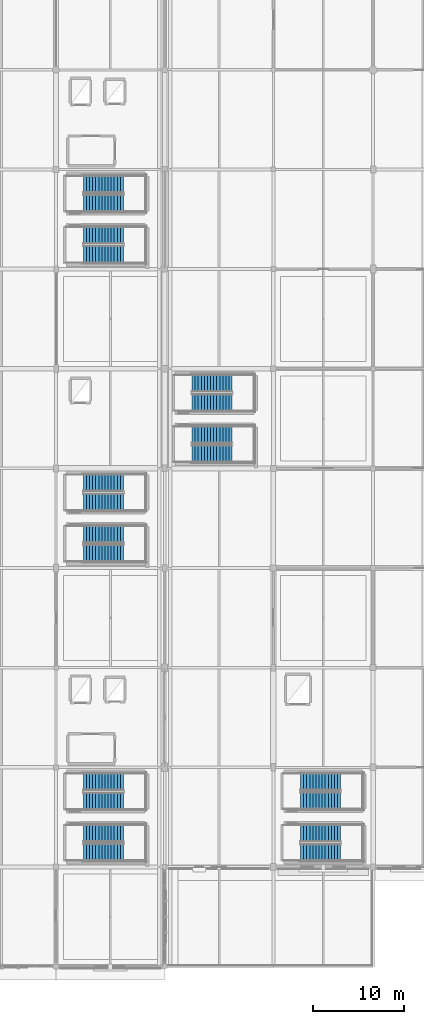
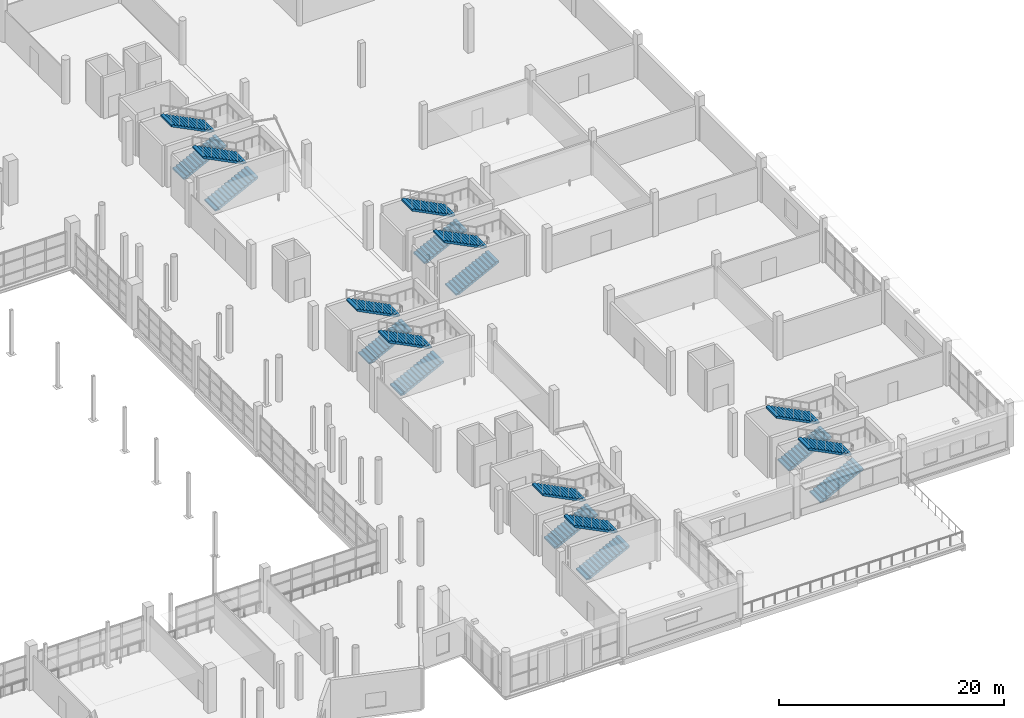
# One storey, part 103 of 143: 20 stair flights, 10 elements without a shape of their own.
"""IFC4 building model written with IfcOpenShell, lengths in metres."""

import ifcopenshell
import ifcopenshell.guid

model = None  # the IFC model being written
_history = None  # IfcOwnerHistory: only IFC2X3 demands one
_inside = {}  # id of a spatial element -> (the spatial element, [elements in it])
_under = {}  # id of a project, library or spatial element -> (it, [spatial elements below it])
_declared = {}  # id of a project -> (the project, [libraries it declares])
_typed = {}  # id of a type object -> (the type object, [elements of that type])
_made_of = {}  # id of a material, layer set ... -> (it, [elements and type objects made of it])


def new_model(schema):
    """Start an empty IFC model of exactly this schema.

    Asked for "IFC4X3", IfcOpenShell would pick the latest addendum, in which some entities
    have other attributes; the version numbers below select the first issue.
    IFC2X3 requires an IfcOwnerHistory on every rooted entity: one is made here for all.
    """
    global model, _history
    if schema == "IFC4X3":
        model = ifcopenshell.file(schema_version=(4, 3, 0, 0))
    else:
        model = ifcopenshell.file(schema=schema)
    _inside.clear()
    _under.clear()
    _declared.clear()
    _typed.clear()
    _made_of.clear()
    _history = None
    if model.schema == "IFC2X3":
        org = make("IfcOrganization", Name="unknown")
        user = make(
            "IfcPersonAndOrganization",
            ThePerson=make("IfcPerson", FamilyName="unknown"),
            TheOrganization=org,
        )
        app = make(
            "IfcApplication",
            ApplicationDeveloper=org,
            Version="unknown",
            ApplicationFullName="unknown",
            ApplicationIdentifier="unknown",
        )
        _history = make(
            "IfcOwnerHistory",
            OwningUser=user,
            OwningApplication=app,
            ChangeAction="ADDED",
            CreationDate=0,
        )
    return model


def make(cls, **values):
    """One entity of the class cls with the attributes given. An attribute that is None is left unset."""
    return model.create_entity(
        cls, **{name: value for name, value in values.items() if value is not None}
    )


def rooted(cls, **values):
    """An entity with a GlobalId (a new one), such as an element, a storey or a relation."""
    return make(cls, GlobalId=ifcopenshell.guid.new(), OwnerHistory=_history, **values)


def si_unit(unit_type, name, prefix=None):
    """IfcSIUnit, for example si_unit("LENGTHUNIT", "METRE", prefix="MILLI")."""
    return make("IfcSIUnit", UnitType=unit_type, Prefix=prefix, Name=name)


def assignment(units):
    """IfcUnitAssignment: the units of a project."""
    return None if units is None else make("IfcUnitAssignment", Units=units)


def point(xyz):
    """IfcCartesianPoint."""
    return None if xyz is None else make("IfcCartesianPoint", Coordinates=xyz)


def direction(xyz):
    """IfcDirection."""
    return None if xyz is None else make("IfcDirection", DirectionRatios=xyz)


def frame(location, z_axis=None, x_axis=None):
    """IfcAxis2Placement3D, a coordinate frame: its origin and axes. An axis left out is left unset."""
    return make(
        "IfcAxis2Placement3D",
        Location=point(location),
        Axis=direction(z_axis),
        RefDirection=direction(x_axis),
    )


def origin():
    """The frame at (0, 0, 0) with its axes left unset."""
    return frame((0.0, 0.0, 0.0))


def place(relative_to, where):
    """IfcLocalPlacement: puts the frame where relative to a parent placement (None: the world)."""
    return make(
        "IfcLocalPlacement", PlacementRelTo=relative_to, RelativePlacement=where
    )


def context(
    kind, dimensions, precision=None, world=None, true_north=None, identifier=None
):
    """IfcGeometricRepresentationContext, for example the 3D "Model" context."""
    return make(
        "IfcGeometricRepresentationContext",
        ContextIdentifier=identifier,
        ContextType=kind,
        CoordinateSpaceDimension=dimensions,
        Precision=precision,
        WorldCoordinateSystem=world,
        TrueNorth=true_north,
    )


def subcontext(parent, identifier, kind, view, scale=None):
    """IfcGeometricRepresentationSubContext, for example "Body" below "Model"."""
    return make(
        "IfcGeometricRepresentationSubContext",
        ContextIdentifier=identifier,
        ContextType=kind,
        ParentContext=parent,
        TargetScale=scale,
        TargetView=view,
    )


def project(units=None, contexts=None):
    """IfcProject with its units and contexts."""
    return rooted(
        "IfcProject",
        Name="project",
        RepresentationContexts=contexts,
        UnitsInContext=assignment(units),
    )


def spatial(cls, under=None, at=None, **own):
    """A site, building, storey or space (cls), placed at a placement, below another one or the project."""
    s = rooted(cls, ObjectPlacement=at, **own)
    if under is not None:
        _under.setdefault(under.id(), (under, []))[1].append(s)
    return s


def polyline(points):
    """IfcPolyline through the points."""
    return make("IfcPolyline", Points=[point(p) for p in points])


def outline(outer, holes=None, kind="AREA"):
    """IfcArbitraryClosedProfileDef: a profile drawn as a closed curve; with holes, ...WithVoids."""
    if holes is None:
        return make("IfcArbitraryClosedProfileDef", ProfileType=kind, OuterCurve=outer)
    return make(
        "IfcArbitraryProfileDefWithVoids",
        ProfileType=kind,
        OuterCurve=outer,
        InnerCurves=holes,
    )


def extrude(swept, where, along, depth):
    """IfcExtrudedAreaSolid: the profile swept, set in the frame where, extruded along a direction by depth."""
    return make(
        "IfcExtrudedAreaSolid",
        SweptArea=swept,
        Position=where,
        ExtrudedDirection=direction(along),
        Depth=depth,
    )


def shape(context_of_items, identifier, shape_type, items):
    """IfcShapeRepresentation: the items that make up one representation, for example the "Body"."""
    return make(
        "IfcShapeRepresentation",
        ContextOfItems=context_of_items,
        RepresentationIdentifier=identifier,
        RepresentationType=shape_type,
        Items=items,
    )


def material(Name=None, Category=None):
    """IfcMaterial."""
    return make("IfcMaterial", Name=Name, Category=Category)


def layer(
    of_material, thickness, ventilated=None, Name=None, Category=None, Priority=None
):
    """IfcMaterialLayer: one layer of a wall or slab, of a material (None: an air gap)."""
    return make(
        "IfcMaterialLayer",
        Material=of_material,
        LayerThickness=thickness,
        IsVentilated=ventilated,
        Name=Name,
        Category=Category,
        Priority=Priority,
    )


def layer_set(layers, Name=None):
    """IfcMaterialLayerSet."""
    return make("IfcMaterialLayerSet", MaterialLayers=layers, LayerSetName=Name)


def made_of(thing, what):
    """Note that an element or type object is made of a material, layer set ...; save() writes the relation."""
    if what is not None:
        _made_of.setdefault(what.id(), (what, []))[1].append(thing)
    return thing


def type_object(cls, material=None, **own):
    """A type object (cls), such as IfcWallType, which elements share."""
    return made_of(rooted(cls, **own), material)


def element(
    cls,
    number,
    at=None,
    inside=None,
    cuts=None,
    type_object=None,
    material=None,
    context=None,
    identifier="Body",
    shape_type=None,
    held_by="IfcProductDefinitionShape",
    body=None,
    shapes=None,
    **own,
):
    """One element of the class cls, such as IfcWall. Its Tag is "e" and its number.

    at: its placement. inside: the storey or other place that contains it. cuts: it is an
    opening in that element (IfcRelVoidsElement). A single representation is given by context,
    identifier, shape_type and body (its items); several are given by shapes. held_by: the class
    of the entity that holds the representations. save() writes the other relations.
    """
    e = rooted(cls, Tag="e%d" % number, ObjectPlacement=at, **own)
    if body is not None:
        shapes = [shape(context, identifier, shape_type, body)]
    if shapes is not None:
        e.Representation = make(held_by, Representations=shapes)
    if inside is not None:
        _inside.setdefault(inside.id(), (inside, []))[1].append(e)
    if cuts is not None:
        rooted(
            "IfcRelVoidsElement", RelatingBuildingElement=cuts, RelatedOpeningElement=e
        )
    if type_object is not None:
        _typed.setdefault(type_object.id(), (type_object, []))[1].append(e)
    return made_of(e, material)


def aggregate(whole, parts):
    """IfcRelAggregates: a whole, such as a stair, and the parts it consists of."""
    return rooted("IfcRelAggregates", RelatingObject=whole, RelatedObjects=parts)


def save(model, path):
    """Write the relations noted so far, then the file.

    IfcRelAggregates (storeys below a building ...), IfcRelContainedInSpatialStructure (elements
    in a storey), IfcRelDefinesByType, IfcRelAssociatesMaterial and IfcRelDeclares: one each for
    every whole, place, type object, material and project.
    """
    for whole, parts in _under.values():
        aggregate(whole, parts)
    for where, things in _inside.values():
        rooted(
            "IfcRelContainedInSpatialStructure",
            RelatedElements=things,
            RelatingStructure=where,
        )
    for kind, things in _typed.values():
        rooted("IfcRelDefinesByType", RelatedObjects=things, RelatingType=kind)
    for what, things in _made_of.values():
        rooted("IfcRelAssociatesMaterial", RelatedObjects=things, RelatingMaterial=what)
    for by, libraries in _declared.values():
        rooted("IfcRelDeclares", RelatingContext=by, RelatedDefinitions=libraries)
    model.write(path)


model = new_model("IFC4")

# Units and contexts
model_context = context("Model", 3, precision=1e-05, world=origin(), true_north=direction((0.0, 1.0)))
body_context = subcontext(model_context, "Body", "Model", "MODEL_VIEW")
ifc_project = project(units=[si_unit("LENGTHUNIT", "METRE"), si_unit("AREAUNIT", "SQUARE_METRE"), si_unit("VOLUMEUNIT", "CUBIC_METRE"), si_unit("PLANEANGLEUNIT", "RADIAN"), si_unit("MASSUNIT", "GRAM", prefix="KILO")], contexts=[model_context])

# Site, building, storey
site_placement = place(None, origin())
site = spatial("IfcSite", under=ifc_project, at=site_placement, CompositionType="ELEMENT")
building_placement = place(site_placement, origin())
building = spatial("IfcBuilding", under=site, at=building_placement, Name="Luwafu Chhajja Arena", CompositionType="ELEMENT")
storey_placement = place(building_placement, frame((0.0, 0.0, 5.39990234375)))
storey = spatial("IfcBuildingStorey", under=building, at=storey_placement, Name="L01", CompositionType="ELEMENT", Elevation=5.39990234375)

# Stair, stair flights
ifc_material = material(Name="Concrete C35/45", Category="concrete")
stair_type_1 = type_object("IfcStairType", Name="Wing Protected Dog-Leg Stair 1900", PredefinedType="HALF_TURN_STAIR", material=ifc_material)
stair_1_placement = place(storey_placement, origin())
stair_1 = element("IfcStair", 1, at=stair_1_placement, inside=storey, type_object=stair_type_1, Name="L01 Protected Escape Stair ST-15", PredefinedType="HALF_TURN_STAIR")
ifc_layer_1 = layer(ifc_material, 0.1650390625, Name="Concrete C35/45")
ifc_layer_set_1 = layer_set([ifc_layer_1], Name="Concrete C35/45")
stair_flight_type_1 = type_object("IfcStairFlightType", Name="RC Escape Stair Flight 1900", PredefinedType="STRAIGHT", material=ifc_layer_set_1)
stair_flight_1_placement = place(storey_placement, frame((179.0, 12.60009765625, 0.0), z_axis=(0.0, 0.0, 1.0), x_axis=(1.0, 0.0, 0.0)))
stair_flight_1 = element("IfcStairFlight", 2, at=stair_flight_1_placement, type_object=stair_flight_type_1, Name="ST-15 flight 1", NumberOfRisers=14, NumberOfTreads=13, PredefinedType="STRAIGHT", RiserHeight=0.171428571, TreadLength=0.34, context=body_context, shape_type="SweptSolid", body=[
    extrude(outline(polyline([(0.0, 0.0), (0.0, 0.17138671875), (0.340087890625, 0.17138671875), (0.340087890625, 0.3427734375), (0.679931640625, 0.3427734375), (0.679931640625, 0.514404296875), (1.02001953125, 0.514404296875), (1.02001953125, 0.685791015625), (1.360107421875, 0.685791015625), (1.360107421875, 0.857177734375), (1.699951171875, 0.857177734375), (1.699951171875, 1.028564453125), (2.0400390625, 1.028564453125), (2.0400390625, 1.199951171875), (2.3798828125, 1.199951171875), (2.3798828125, 1.371337890625), (2.719970703125, 1.371337890625), (2.719970703125, 1.54296875), (3.06005859375, 1.54296875), (3.06005859375, 1.71435546875), (3.39990234375, 1.71435546875), (3.39990234375, 1.8857421875), (3.739990234375, 1.8857421875), (3.739990234375, 2.05712890625), (4.080078125, 2.05712890625), (4.080078125, 2.228515625), (4.419921875, 2.228515625), (4.419921875, 2.39990234375), (4.419921875, 2.038330078125), (0.37744140625, 0.0), (0.0, 0.0)])), frame((0.0, 0.949951171875, 0.0), z_axis=(0.0, -1.0, 0.0), x_axis=(1.0, 0.0, 0.0)), (0.0, 0.0, 1.0), 1.89990234375),
])
stair_flight_2_placement = place(storey_placement, frame((183.419921875, 14.699951171875, 2.400146484375), z_axis=(0.0, 0.0, 1.0), x_axis=(-1.0, 0.0, 0.0)))
stair_flight_2 = element("IfcStairFlight", 3, at=stair_flight_2_placement, type_object=stair_flight_type_1, Name="ST-15 flight 2", NumberOfRisers=14, NumberOfTreads=13, PredefinedType="STRAIGHT", RiserHeight=0.171428571, TreadLength=0.34, context=body_context, shape_type="SweptSolid", body=[
    extrude(outline(polyline([(0.0, 0.0), (0.0, 0.17138671875), (0.340087890625, 0.17138671875), (0.340087890625, 0.3427734375), (0.679931640625, 0.3427734375), (0.679931640625, 0.514404296875), (1.02001953125, 0.514404296875), (1.02001953125, 0.685791015625), (1.360107421875, 0.685791015625), (1.360107421875, 0.857177734375), (1.699951171875, 0.857177734375), (1.699951171875, 1.028564453125), (2.0400390625, 1.028564453125), (2.0400390625, 1.199951171875), (2.3798828125, 1.199951171875), (2.3798828125, 1.371337890625), (2.719970703125, 1.371337890625), (2.719970703125, 1.54296875), (3.06005859375, 1.54296875), (3.06005859375, 1.71435546875), (3.39990234375, 1.71435546875), (3.39990234375, 1.8857421875), (3.739990234375, 1.8857421875), (3.739990234375, 2.05712890625), (4.080078125, 2.05712890625), (4.080078125, 2.228515625), (4.419921875, 2.228515625), (4.419921875, 2.39990234375), (4.419921875, 2.038330078125), (0.37744140625, 0.0), (0.0, 0.0)])), frame((0.0, 0.949951171875, 0.0), z_axis=(0.0, -1.0, 0.0), x_axis=(1.0, 0.0, 0.0)), (0.0, 0.0, 1.0), 1.89990234375),
])
aggregate(stair_1, [stair_flight_1, stair_flight_2])

stair_2_placement = place(storey_placement, origin())
stair_2 = element("IfcStair", 4, at=stair_2_placement, inside=storey, type_object=stair_type_1, Name="L01 Protected Escape Stair ST-16", PredefinedType="HALF_TURN_STAIR")
stair_flight_3_placement = place(storey_placement, frame((179.0, 18.300048828125, 0.0), z_axis=(0.0, 0.0, 1.0), x_axis=(1.0, 0.0, 0.0)))
stair_flight_3 = element("IfcStairFlight", 5, at=stair_flight_3_placement, type_object=stair_flight_type_1, Name="ST-16 flight 1", NumberOfRisers=14, NumberOfTreads=13, PredefinedType="STRAIGHT", RiserHeight=0.171428571, TreadLength=0.34, context=body_context, shape_type="SweptSolid", body=[
    extrude(outline(polyline([(0.0, 0.0), (0.0, 0.17138671875), (0.340087890625, 0.17138671875), (0.340087890625, 0.3427734375), (0.679931640625, 0.3427734375), (0.679931640625, 0.514404296875), (1.02001953125, 0.514404296875), (1.02001953125, 0.685791015625), (1.360107421875, 0.685791015625), (1.360107421875, 0.857177734375), (1.699951171875, 0.857177734375), (1.699951171875, 1.028564453125), (2.0400390625, 1.028564453125), (2.0400390625, 1.199951171875), (2.3798828125, 1.199951171875), (2.3798828125, 1.371337890625), (2.719970703125, 1.371337890625), (2.719970703125, 1.54296875), (3.06005859375, 1.54296875), (3.06005859375, 1.71435546875), (3.39990234375, 1.71435546875), (3.39990234375, 1.8857421875), (3.739990234375, 1.8857421875), (3.739990234375, 2.05712890625), (4.080078125, 2.05712890625), (4.080078125, 2.228515625), (4.419921875, 2.228515625), (4.419921875, 2.39990234375), (4.419921875, 2.038330078125), (0.37744140625, 0.0), (0.0, 0.0)])), frame((0.0, 0.949951171875, 0.0), z_axis=(0.0, -1.0, 0.0), x_axis=(1.0, 0.0, 0.0)), (0.0, 0.0, 1.0), 1.89990234375),
])
stair_flight_4_placement = place(storey_placement, frame((183.419921875, 20.39990234375, 2.400146484375), z_axis=(0.0, 0.0, 1.0), x_axis=(-1.0, 0.0, 0.0)))
stair_flight_4 = element("IfcStairFlight", 6, at=stair_flight_4_placement, type_object=stair_flight_type_1, Name="ST-16 flight 2", NumberOfRisers=14, NumberOfTreads=13, PredefinedType="STRAIGHT", RiserHeight=0.171428571, TreadLength=0.34, context=body_context, shape_type="SweptSolid", body=[
    extrude(outline(polyline([(0.0, 0.0), (0.0, 0.17138671875), (0.340087890625, 0.17138671875), (0.340087890625, 0.3427734375), (0.679931640625, 0.3427734375), (0.679931640625, 0.514404296875), (1.02001953125, 0.514404296875), (1.02001953125, 0.685791015625), (1.360107421875, 0.685791015625), (1.360107421875, 0.857177734375), (1.699951171875, 0.857177734375), (1.699951171875, 1.028564453125), (2.0400390625, 1.028564453125), (2.0400390625, 1.199951171875), (2.3798828125, 1.199951171875), (2.3798828125, 1.371337890625), (2.719970703125, 1.371337890625), (2.719970703125, 1.54296875), (3.06005859375, 1.54296875), (3.06005859375, 1.71435546875), (3.39990234375, 1.71435546875), (3.39990234375, 1.8857421875), (3.739990234375, 1.8857421875), (3.739990234375, 2.05712890625), (4.080078125, 2.05712890625), (4.080078125, 2.228515625), (4.419921875, 2.228515625), (4.419921875, 2.39990234375), (4.419921875, 2.038330078125), (0.37744140625, 0.0), (0.0, 0.0)])), frame((0.0, 0.949951171875, 0.0), z_axis=(0.0, -1.0, 0.0), x_axis=(1.0, 0.0, 0.0)), (0.0, 0.0, 1.0), 1.89990234375),
])
aggregate(stair_2, [stair_flight_3, stair_flight_4])

stair_type_2 = type_object("IfcStairType", Name="Quadrant Protected Dog-Leg Stair 1920", PredefinedType="HALF_TURN_STAIR", material=ifc_material)
stair_3_placement = place(storey_placement, origin())
stair_3 = element("IfcStair", 7, at=stair_3_placement, inside=storey, type_object=stair_type_2, Name="L01 Protected Escape Stair ST-03", PredefinedType="HALF_TURN_STAIR")
ifc_layer_2 = layer(ifc_material, 0.169921875, Name="Concrete C35/45")
ifc_layer_set_2 = layer_set([ifc_layer_2], Name="Concrete C35/45")
stair_flight_type_2 = type_object("IfcStairFlightType", Name="RC Escape Stair Flight 1920", PredefinedType="STRAIGHT", material=ifc_layer_set_2)
stair_flight_5_placement = place(storey_placement, frame((155.02001953125, 12.610107421875, 0.0), z_axis=(0.0, 0.0, 1.0), x_axis=(1.0, 0.0, 0.0)))
stair_flight_5 = element("IfcStairFlight", 8, at=stair_flight_5_placement, type_object=stair_flight_type_2, Name="ST-03 flight 1", NumberOfRisers=14, NumberOfTreads=13, PredefinedType="STRAIGHT", RiserHeight=0.171428571, TreadLength=0.34, context=body_context, shape_type="SweptSolid", body=[
    extrude(outline(polyline([(0.0, 0.0), (0.0, 0.17138671875), (0.340087890625, 0.17138671875), (0.340087890625, 0.3427734375), (0.679931640625, 0.3427734375), (0.679931640625, 0.514404296875), (1.02001953125, 0.514404296875), (1.02001953125, 0.685791015625), (1.360107421875, 0.685791015625), (1.360107421875, 0.857177734375), (1.699951171875, 0.857177734375), (1.699951171875, 1.028564453125), (2.0400390625, 1.028564453125), (2.0400390625, 1.199951171875), (2.3798828125, 1.199951171875), (2.3798828125, 1.371337890625), (2.719970703125, 1.371337890625), (2.719970703125, 1.54296875), (3.06005859375, 1.54296875), (3.06005859375, 1.71435546875), (3.39990234375, 1.71435546875), (3.39990234375, 1.8857421875), (3.739990234375, 1.8857421875), (3.739990234375, 2.05712890625), (4.080078125, 2.05712890625), (4.080078125, 2.228515625), (4.419921875, 2.228515625), (4.419921875, 2.39990234375), (4.419921875, 2.038330078125), (0.37744140625, 0.0), (0.0, 0.0)])), frame((0.0, 0.9599609375, 0.0), z_axis=(0.0, -1.0, 0.0), x_axis=(1.0, 0.0, 0.0)), (0.0, 0.0, 1.0), 1.919921875),
])
stair_flight_6_placement = place(storey_placement, frame((159.43994140625, 14.72998046875, 2.400146484375), z_axis=(0.0, 0.0, 1.0), x_axis=(-1.0, 0.0, 0.0)))
stair_flight_6 = element("IfcStairFlight", 9, at=stair_flight_6_placement, type_object=stair_flight_type_2, Name="ST-03 flight 2", NumberOfRisers=14, NumberOfTreads=13, PredefinedType="STRAIGHT", RiserHeight=0.171428571, TreadLength=0.34, context=body_context, shape_type="SweptSolid", body=[
    extrude(outline(polyline([(0.0, 0.0), (0.0, 0.17138671875), (0.340087890625, 0.17138671875), (0.340087890625, 0.3427734375), (0.679931640625, 0.3427734375), (0.679931640625, 0.514404296875), (1.02001953125, 0.514404296875), (1.02001953125, 0.685791015625), (1.360107421875, 0.685791015625), (1.360107421875, 0.857177734375), (1.699951171875, 0.857177734375), (1.699951171875, 1.028564453125), (2.0400390625, 1.028564453125), (2.0400390625, 1.199951171875), (2.3798828125, 1.199951171875), (2.3798828125, 1.371337890625), (2.719970703125, 1.371337890625), (2.719970703125, 1.54296875), (3.06005859375, 1.54296875), (3.06005859375, 1.71435546875), (3.39990234375, 1.71435546875), (3.39990234375, 1.8857421875), (3.739990234375, 1.8857421875), (3.739990234375, 2.05712890625), (4.080078125, 2.05712890625), (4.080078125, 2.228515625), (4.419921875, 2.228515625), (4.419921875, 2.39990234375), (4.419921875, 2.038330078125), (0.37744140625, 0.0), (0.0, 0.0)])), frame((0.0, 0.9599609375, 0.0), z_axis=(0.0, -1.0, 0.0), x_axis=(1.0, 0.0, 0.0)), (0.0, 0.0, 1.0), 1.919921875),
])
aggregate(stair_3, [stair_flight_5, stair_flight_6])

stair_4_placement = place(storey_placement, origin())
stair_4 = element("IfcStair", 10, at=stair_4_placement, inside=storey, type_object=stair_type_2, Name="L01 Protected Escape Stair ST-04", PredefinedType="HALF_TURN_STAIR")
stair_flight_7_placement = place(storey_placement, frame((155.02001953125, 18.27001953125, 0.0), z_axis=(0.0, 0.0, 1.0), x_axis=(1.0, 0.0, 0.0)))
stair_flight_7 = element("IfcStairFlight", 11, at=stair_flight_7_placement, type_object=stair_flight_type_2, Name="ST-04 flight 1", NumberOfRisers=14, NumberOfTreads=13, PredefinedType="STRAIGHT", RiserHeight=0.171428571, TreadLength=0.34, context=body_context, shape_type="SweptSolid", body=[
    extrude(outline(polyline([(0.0, 0.0), (0.0, 0.17138671875), (0.340087890625, 0.17138671875), (0.340087890625, 0.3427734375), (0.679931640625, 0.3427734375), (0.679931640625, 0.514404296875), (1.02001953125, 0.514404296875), (1.02001953125, 0.685791015625), (1.360107421875, 0.685791015625), (1.360107421875, 0.857177734375), (1.699951171875, 0.857177734375), (1.699951171875, 1.028564453125), (2.0400390625, 1.028564453125), (2.0400390625, 1.199951171875), (2.3798828125, 1.199951171875), (2.3798828125, 1.371337890625), (2.719970703125, 1.371337890625), (2.719970703125, 1.54296875), (3.06005859375, 1.54296875), (3.06005859375, 1.71435546875), (3.39990234375, 1.71435546875), (3.39990234375, 1.8857421875), (3.739990234375, 1.8857421875), (3.739990234375, 2.05712890625), (4.080078125, 2.05712890625), (4.080078125, 2.228515625), (4.419921875, 2.228515625), (4.419921875, 2.39990234375), (4.419921875, 2.038330078125), (0.37744140625, 0.0), (0.0, 0.0)])), frame((0.0, 0.9599609375, 0.0), z_axis=(0.0, -1.0, 0.0), x_axis=(1.0, 0.0, 0.0)), (0.0, 0.0, 1.0), 1.919921875),
])
stair_flight_8_placement = place(storey_placement, frame((159.43994140625, 20.389892578125, 2.400146484375), z_axis=(0.0, 0.0, 1.0), x_axis=(-1.0, 0.0, 0.0)))
stair_flight_8 = element("IfcStairFlight", 12, at=stair_flight_8_placement, type_object=stair_flight_type_2, Name="ST-04 flight 2", NumberOfRisers=14, NumberOfTreads=13, PredefinedType="STRAIGHT", RiserHeight=0.171428571, TreadLength=0.34, context=body_context, shape_type="SweptSolid", body=[
    extrude(outline(polyline([(0.0, 0.0), (0.0, 0.17138671875), (0.340087890625, 0.17138671875), (0.340087890625, 0.3427734375), (0.679931640625, 0.3427734375), (0.679931640625, 0.514404296875), (1.02001953125, 0.514404296875), (1.02001953125, 0.685791015625), (1.360107421875, 0.685791015625), (1.360107421875, 0.857177734375), (1.699951171875, 0.857177734375), (1.699951171875, 1.028564453125), (2.0400390625, 1.028564453125), (2.0400390625, 1.199951171875), (2.3798828125, 1.199951171875), (2.3798828125, 1.371337890625), (2.719970703125, 1.371337890625), (2.719970703125, 1.54296875), (3.06005859375, 1.54296875), (3.06005859375, 1.71435546875), (3.39990234375, 1.71435546875), (3.39990234375, 1.8857421875), (3.739990234375, 1.8857421875), (3.739990234375, 2.05712890625), (4.080078125, 2.05712890625), (4.080078125, 2.228515625), (4.419921875, 2.228515625), (4.419921875, 2.39990234375), (4.419921875, 2.038330078125), (0.37744140625, 0.0), (0.0, 0.0)])), frame((0.0, 0.9599609375, 0.0), z_axis=(0.0, -1.0, 0.0), x_axis=(1.0, 0.0, 0.0)), (0.0, 0.0, 1.0), 1.919921875),
])
aggregate(stair_4, [stair_flight_7, stair_flight_8])

stair_5_placement = place(storey_placement, origin())
stair_5 = element("IfcStair", 13, at=stair_5_placement, inside=storey, type_object=stair_type_2, Name="L01 Protected Escape Stair ST-07", PredefinedType="HALF_TURN_STAIR")
stair_flight_9_placement = place(storey_placement, frame((155.02001953125, 78.610107421875, 0.0), z_axis=(0.0, 0.0, 1.0), x_axis=(1.0, 0.0, 0.0)))
stair_flight_9 = element("IfcStairFlight", 14, at=stair_flight_9_placement, type_object=stair_flight_type_2, Name="ST-07 flight 1", NumberOfRisers=14, NumberOfTreads=13, PredefinedType="STRAIGHT", RiserHeight=0.171428571, TreadLength=0.34, context=body_context, shape_type="SweptSolid", body=[
    extrude(outline(polyline([(0.0, 0.0), (0.0, 0.17138671875), (0.340087890625, 0.17138671875), (0.340087890625, 0.3427734375), (0.679931640625, 0.3427734375), (0.679931640625, 0.514404296875), (1.02001953125, 0.514404296875), (1.02001953125, 0.685791015625), (1.360107421875, 0.685791015625), (1.360107421875, 0.857177734375), (1.699951171875, 0.857177734375), (1.699951171875, 1.028564453125), (2.0400390625, 1.028564453125), (2.0400390625, 1.199951171875), (2.3798828125, 1.199951171875), (2.3798828125, 1.371337890625), (2.719970703125, 1.371337890625), (2.719970703125, 1.54296875), (3.06005859375, 1.54296875), (3.06005859375, 1.71435546875), (3.39990234375, 1.71435546875), (3.39990234375, 1.8857421875), (3.739990234375, 1.8857421875), (3.739990234375, 2.05712890625), (4.080078125, 2.05712890625), (4.080078125, 2.228515625), (4.419921875, 2.228515625), (4.419921875, 2.39990234375), (4.419921875, 2.038330078125), (0.37744140625, 0.0), (0.0, 0.0)])), frame((0.0, 0.9599609375, 0.0), z_axis=(0.0, -1.0, 0.0), x_axis=(1.0, 0.0, 0.0)), (0.0, 0.0, 1.0), 1.919921875),
])
stair_flight_10_placement = place(storey_placement, frame((159.43994140625, 80.72998046875, 2.400146484375), z_axis=(0.0, 0.0, 1.0), x_axis=(-1.0, 0.0, 0.0)))
stair_flight_10 = element("IfcStairFlight", 15, at=stair_flight_10_placement, type_object=stair_flight_type_2, Name="ST-07 flight 2", NumberOfRisers=14, NumberOfTreads=13, PredefinedType="STRAIGHT", RiserHeight=0.171428571, TreadLength=0.34, context=body_context, shape_type="SweptSolid", body=[
    extrude(outline(polyline([(0.0, 0.0), (0.0, 0.17138671875), (0.340087890625, 0.17138671875), (0.340087890625, 0.3427734375), (0.679931640625, 0.3427734375), (0.679931640625, 0.514404296875), (1.02001953125, 0.514404296875), (1.02001953125, 0.685791015625), (1.360107421875, 0.685791015625), (1.360107421875, 0.857177734375), (1.699951171875, 0.857177734375), (1.699951171875, 1.028564453125), (2.0400390625, 1.028564453125), (2.0400390625, 1.199951171875), (2.3798828125, 1.199951171875), (2.3798828125, 1.371337890625), (2.719970703125, 1.371337890625), (2.719970703125, 1.54296875), (3.06005859375, 1.54296875), (3.06005859375, 1.71435546875), (3.39990234375, 1.71435546875), (3.39990234375, 1.8857421875), (3.739990234375, 1.8857421875), (3.739990234375, 2.05712890625), (4.080078125, 2.05712890625), (4.080078125, 2.228515625), (4.419921875, 2.228515625), (4.419921875, 2.39990234375), (4.419921875, 2.038330078125), (0.37744140625, 0.0), (0.0, 0.0)])), frame((0.0, 0.9599609375, 0.0), z_axis=(0.0, -1.0, 0.0), x_axis=(1.0, 0.0, 0.0)), (0.0, 0.0, 1.0), 1.919921875),
])
aggregate(stair_5, [stair_flight_9, stair_flight_10])

stair_6_placement = place(storey_placement, origin())
stair_6 = element("IfcStair", 16, at=stair_6_placement, inside=storey, type_object=stair_type_2, Name="L01 Protected Escape Stair ST-08", PredefinedType="HALF_TURN_STAIR")
stair_flight_11_placement = place(storey_placement, frame((155.02001953125, 84.27001953125, 0.0), z_axis=(0.0, 0.0, 1.0), x_axis=(1.0, 0.0, 0.0)))
stair_flight_11 = element("IfcStairFlight", 17, at=stair_flight_11_placement, type_object=stair_flight_type_2, Name="ST-08 flight 1", NumberOfRisers=14, NumberOfTreads=13, PredefinedType="STRAIGHT", RiserHeight=0.171428571, TreadLength=0.34, context=body_context, shape_type="SweptSolid", body=[
    extrude(outline(polyline([(0.0, 0.0), (0.0, 0.17138671875), (0.340087890625, 0.17138671875), (0.340087890625, 0.3427734375), (0.679931640625, 0.3427734375), (0.679931640625, 0.514404296875), (1.02001953125, 0.514404296875), (1.02001953125, 0.685791015625), (1.360107421875, 0.685791015625), (1.360107421875, 0.857177734375), (1.699951171875, 0.857177734375), (1.699951171875, 1.028564453125), (2.0400390625, 1.028564453125), (2.0400390625, 1.199951171875), (2.3798828125, 1.199951171875), (2.3798828125, 1.371337890625), (2.719970703125, 1.371337890625), (2.719970703125, 1.54296875), (3.06005859375, 1.54296875), (3.06005859375, 1.71435546875), (3.39990234375, 1.71435546875), (3.39990234375, 1.8857421875), (3.739990234375, 1.8857421875), (3.739990234375, 2.05712890625), (4.080078125, 2.05712890625), (4.080078125, 2.228515625), (4.419921875, 2.228515625), (4.419921875, 2.39990234375), (4.419921875, 2.038330078125), (0.37744140625, 0.0), (0.0, 0.0)])), frame((0.0, 0.9599609375, 0.0), z_axis=(0.0, -1.0, 0.0), x_axis=(1.0, 0.0, 0.0)), (0.0, 0.0, 1.0), 1.919921875),
])
stair_flight_12_placement = place(storey_placement, frame((159.43994140625, 86.389892578125, 2.400146484375), z_axis=(0.0, 0.0, 1.0), x_axis=(-1.0, 0.0, 0.0)))
stair_flight_12 = element("IfcStairFlight", 18, at=stair_flight_12_placement, type_object=stair_flight_type_2, Name="ST-08 flight 2", NumberOfRisers=14, NumberOfTreads=13, PredefinedType="STRAIGHT", RiserHeight=0.171428571, TreadLength=0.34, context=body_context, shape_type="SweptSolid", body=[
    extrude(outline(polyline([(0.0, 0.0), (0.0, 0.17138671875), (0.340087890625, 0.17138671875), (0.340087890625, 0.3427734375), (0.679931640625, 0.3427734375), (0.679931640625, 0.514404296875), (1.02001953125, 0.514404296875), (1.02001953125, 0.685791015625), (1.360107421875, 0.685791015625), (1.360107421875, 0.857177734375), (1.699951171875, 0.857177734375), (1.699951171875, 1.028564453125), (2.0400390625, 1.028564453125), (2.0400390625, 1.199951171875), (2.3798828125, 1.199951171875), (2.3798828125, 1.371337890625), (2.719970703125, 1.371337890625), (2.719970703125, 1.54296875), (3.06005859375, 1.54296875), (3.06005859375, 1.71435546875), (3.39990234375, 1.71435546875), (3.39990234375, 1.8857421875), (3.739990234375, 1.8857421875), (3.739990234375, 2.05712890625), (4.080078125, 2.05712890625), (4.080078125, 2.228515625), (4.419921875, 2.228515625), (4.419921875, 2.39990234375), (4.419921875, 2.038330078125), (0.37744140625, 0.0), (0.0, 0.0)])), frame((0.0, 0.9599609375, 0.0), z_axis=(0.0, -1.0, 0.0), x_axis=(1.0, 0.0, 0.0)), (0.0, 0.0, 1.0), 1.919921875),
])
aggregate(stair_6, [stair_flight_11, stair_flight_12])

stair_7_placement = place(storey_placement, origin())
stair_7 = element("IfcStair", 19, at=stair_7_placement, inside=storey, type_object=stair_type_2, Name="L01 Protected Escape Stair ST-11", PredefinedType="HALF_TURN_STAIR")
stair_flight_13_placement = place(storey_placement, frame((155.02001953125, 45.610107421875, 0.0), z_axis=(0.0, 0.0, 1.0), x_axis=(1.0, 0.0, 0.0)))
stair_flight_13 = element("IfcStairFlight", 20, at=stair_flight_13_placement, type_object=stair_flight_type_2, Name="ST-11 flight 1", NumberOfRisers=14, NumberOfTreads=13, PredefinedType="STRAIGHT", RiserHeight=0.171428571, TreadLength=0.34, context=body_context, shape_type="SweptSolid", body=[
    extrude(outline(polyline([(0.0, 0.0), (0.0, 0.17138671875), (0.340087890625, 0.17138671875), (0.340087890625, 0.3427734375), (0.679931640625, 0.3427734375), (0.679931640625, 0.514404296875), (1.02001953125, 0.514404296875), (1.02001953125, 0.685791015625), (1.360107421875, 0.685791015625), (1.360107421875, 0.857177734375), (1.699951171875, 0.857177734375), (1.699951171875, 1.028564453125), (2.0400390625, 1.028564453125), (2.0400390625, 1.199951171875), (2.3798828125, 1.199951171875), (2.3798828125, 1.371337890625), (2.719970703125, 1.371337890625), (2.719970703125, 1.54296875), (3.06005859375, 1.54296875), (3.06005859375, 1.71435546875), (3.39990234375, 1.71435546875), (3.39990234375, 1.8857421875), (3.739990234375, 1.8857421875), (3.739990234375, 2.05712890625), (4.080078125, 2.05712890625), (4.080078125, 2.228515625), (4.419921875, 2.228515625), (4.419921875, 2.39990234375), (4.419921875, 2.038330078125), (0.37744140625, 0.0), (0.0, 0.0)])), frame((0.0, 0.9599609375, 0.0), z_axis=(0.0, -1.0, 0.0), x_axis=(1.0, 0.0, 0.0)), (0.0, 0.0, 1.0), 1.919921875),
])
stair_flight_14_placement = place(storey_placement, frame((159.43994140625, 47.72998046875, 2.400146484375), z_axis=(0.0, 0.0, 1.0), x_axis=(-1.0, 0.0, 0.0)))
stair_flight_14 = element("IfcStairFlight", 21, at=stair_flight_14_placement, type_object=stair_flight_type_2, Name="ST-11 flight 2", NumberOfRisers=14, NumberOfTreads=13, PredefinedType="STRAIGHT", RiserHeight=0.171428571, TreadLength=0.34, context=body_context, shape_type="SweptSolid", body=[
    extrude(outline(polyline([(0.0, 0.0), (0.0, 0.17138671875), (0.340087890625, 0.17138671875), (0.340087890625, 0.3427734375), (0.679931640625, 0.3427734375), (0.679931640625, 0.514404296875), (1.02001953125, 0.514404296875), (1.02001953125, 0.685791015625), (1.360107421875, 0.685791015625), (1.360107421875, 0.857177734375), (1.699951171875, 0.857177734375), (1.699951171875, 1.028564453125), (2.0400390625, 1.028564453125), (2.0400390625, 1.199951171875), (2.3798828125, 1.199951171875), (2.3798828125, 1.371337890625), (2.719970703125, 1.371337890625), (2.719970703125, 1.54296875), (3.06005859375, 1.54296875), (3.06005859375, 1.71435546875), (3.39990234375, 1.71435546875), (3.39990234375, 1.8857421875), (3.739990234375, 1.8857421875), (3.739990234375, 2.05712890625), (4.080078125, 2.05712890625), (4.080078125, 2.228515625), (4.419921875, 2.228515625), (4.419921875, 2.39990234375), (4.419921875, 2.038330078125), (0.37744140625, 0.0), (0.0, 0.0)])), frame((0.0, 0.9599609375, 0.0), z_axis=(0.0, -1.0, 0.0), x_axis=(1.0, 0.0, 0.0)), (0.0, 0.0, 1.0), 1.919921875),
])
aggregate(stair_7, [stair_flight_13, stair_flight_14])

stair_8_placement = place(storey_placement, origin())
stair_8 = element("IfcStair", 22, at=stair_8_placement, inside=storey, type_object=stair_type_2, Name="L01 Protected Escape Stair ST-12", PredefinedType="HALF_TURN_STAIR")
stair_flight_15_placement = place(storey_placement, frame((155.02001953125, 51.27001953125, 0.0), z_axis=(0.0, 0.0, 1.0), x_axis=(1.0, 0.0, 0.0)))
stair_flight_15 = element("IfcStairFlight", 23, at=stair_flight_15_placement, type_object=stair_flight_type_2, Name="ST-12 flight 1", NumberOfRisers=14, NumberOfTreads=13, PredefinedType="STRAIGHT", RiserHeight=0.171428571, TreadLength=0.34, context=body_context, shape_type="SweptSolid", body=[
    extrude(outline(polyline([(0.0, 0.0), (0.0, 0.17138671875), (0.340087890625, 0.17138671875), (0.340087890625, 0.3427734375), (0.679931640625, 0.3427734375), (0.679931640625, 0.514404296875), (1.02001953125, 0.514404296875), (1.02001953125, 0.685791015625), (1.360107421875, 0.685791015625), (1.360107421875, 0.857177734375), (1.699951171875, 0.857177734375), (1.699951171875, 1.028564453125), (2.0400390625, 1.028564453125), (2.0400390625, 1.199951171875), (2.3798828125, 1.199951171875), (2.3798828125, 1.371337890625), (2.719970703125, 1.371337890625), (2.719970703125, 1.54296875), (3.06005859375, 1.54296875), (3.06005859375, 1.71435546875), (3.39990234375, 1.71435546875), (3.39990234375, 1.8857421875), (3.739990234375, 1.8857421875), (3.739990234375, 2.05712890625), (4.080078125, 2.05712890625), (4.080078125, 2.228515625), (4.419921875, 2.228515625), (4.419921875, 2.39990234375), (4.419921875, 2.038330078125), (0.37744140625, 0.0), (0.0, 0.0)])), frame((0.0, 0.9599609375, 0.0), z_axis=(0.0, -1.0, 0.0), x_axis=(1.0, 0.0, 0.0)), (0.0, 0.0, 1.0), 1.919921875),
])
stair_flight_16_placement = place(storey_placement, frame((159.43994140625, 53.389892578125, 2.400146484375), z_axis=(0.0, 0.0, 1.0), x_axis=(-1.0, 0.0, 0.0)))
stair_flight_16 = element("IfcStairFlight", 24, at=stair_flight_16_placement, type_object=stair_flight_type_2, Name="ST-12 flight 2", NumberOfRisers=14, NumberOfTreads=13, PredefinedType="STRAIGHT", RiserHeight=0.171428571, TreadLength=0.34, context=body_context, shape_type="SweptSolid", body=[
    extrude(outline(polyline([(0.0, 0.0), (0.0, 0.17138671875), (0.340087890625, 0.17138671875), (0.340087890625, 0.3427734375), (0.679931640625, 0.3427734375), (0.679931640625, 0.514404296875), (1.02001953125, 0.514404296875), (1.02001953125, 0.685791015625), (1.360107421875, 0.685791015625), (1.360107421875, 0.857177734375), (1.699951171875, 0.857177734375), (1.699951171875, 1.028564453125), (2.0400390625, 1.028564453125), (2.0400390625, 1.199951171875), (2.3798828125, 1.199951171875), (2.3798828125, 1.371337890625), (2.719970703125, 1.371337890625), (2.719970703125, 1.54296875), (3.06005859375, 1.54296875), (3.06005859375, 1.71435546875), (3.39990234375, 1.71435546875), (3.39990234375, 1.8857421875), (3.739990234375, 1.8857421875), (3.739990234375, 2.05712890625), (4.080078125, 2.05712890625), (4.080078125, 2.228515625), (4.419921875, 2.228515625), (4.419921875, 2.39990234375), (4.419921875, 2.038330078125), (0.37744140625, 0.0), (0.0, 0.0)])), frame((0.0, 0.9599609375, 0.0), z_axis=(0.0, -1.0, 0.0), x_axis=(1.0, 0.0, 0.0)), (0.0, 0.0, 1.0), 1.919921875),
])
aggregate(stair_8, [stair_flight_15, stair_flight_16])

stair_9_placement = place(storey_placement, origin())
stair_9 = element("IfcStair", 25, at=stair_9_placement, inside=storey, type_object=stair_type_2, Name="L01 Protected Escape Stair ST-19", PredefinedType="HALF_TURN_STAIR")
stair_flight_17_placement = place(storey_placement, frame((167.02001953125, 56.610107421875, 0.0), z_axis=(0.0, 0.0, 1.0), x_axis=(1.0, 0.0, 0.0)))
stair_flight_17 = element("IfcStairFlight", 26, at=stair_flight_17_placement, type_object=stair_flight_type_2, Name="ST-19 flight 1", NumberOfRisers=14, NumberOfTreads=13, PredefinedType="STRAIGHT", RiserHeight=0.171428571, TreadLength=0.34, context=body_context, shape_type="SweptSolid", body=[
    extrude(outline(polyline([(0.0, 0.0), (0.0, 0.17138671875), (0.340087890625, 0.17138671875), (0.340087890625, 0.3427734375), (0.679931640625, 0.3427734375), (0.679931640625, 0.514404296875), (1.02001953125, 0.514404296875), (1.02001953125, 0.685791015625), (1.360107421875, 0.685791015625), (1.360107421875, 0.857177734375), (1.699951171875, 0.857177734375), (1.699951171875, 1.028564453125), (2.0400390625, 1.028564453125), (2.0400390625, 1.199951171875), (2.3798828125, 1.199951171875), (2.3798828125, 1.371337890625), (2.719970703125, 1.371337890625), (2.719970703125, 1.54296875), (3.06005859375, 1.54296875), (3.06005859375, 1.71435546875), (3.39990234375, 1.71435546875), (3.39990234375, 1.8857421875), (3.739990234375, 1.8857421875), (3.739990234375, 2.05712890625), (4.080078125, 2.05712890625), (4.080078125, 2.228515625), (4.419921875, 2.228515625), (4.419921875, 2.39990234375), (4.419921875, 2.038330078125), (0.37744140625, 0.0), (0.0, 0.0)])), frame((0.0, 0.9599609375, 0.0), z_axis=(0.0, -1.0, 0.0), x_axis=(1.0, 0.0, 0.0)), (0.0, 0.0, 1.0), 1.919921875),
])
stair_flight_18_placement = place(storey_placement, frame((171.43994140625, 58.72998046875, 2.400146484375), z_axis=(0.0, 0.0, 1.0), x_axis=(-1.0, 0.0, 0.0)))
stair_flight_18 = element("IfcStairFlight", 27, at=stair_flight_18_placement, type_object=stair_flight_type_2, Name="ST-19 flight 2", NumberOfRisers=14, NumberOfTreads=13, PredefinedType="STRAIGHT", RiserHeight=0.171428571, TreadLength=0.34, context=body_context, shape_type="SweptSolid", body=[
    extrude(outline(polyline([(0.0, 0.0), (0.0, 0.17138671875), (0.340087890625, 0.17138671875), (0.340087890625, 0.3427734375), (0.679931640625, 0.3427734375), (0.679931640625, 0.514404296875), (1.02001953125, 0.514404296875), (1.02001953125, 0.685791015625), (1.360107421875, 0.685791015625), (1.360107421875, 0.857177734375), (1.699951171875, 0.857177734375), (1.699951171875, 1.028564453125), (2.0400390625, 1.028564453125), (2.0400390625, 1.199951171875), (2.3798828125, 1.199951171875), (2.3798828125, 1.371337890625), (2.719970703125, 1.371337890625), (2.719970703125, 1.54296875), (3.06005859375, 1.54296875), (3.06005859375, 1.71435546875), (3.39990234375, 1.71435546875), (3.39990234375, 1.8857421875), (3.739990234375, 1.8857421875), (3.739990234375, 2.05712890625), (4.080078125, 2.05712890625), (4.080078125, 2.228515625), (4.419921875, 2.228515625), (4.419921875, 2.39990234375), (4.419921875, 2.038330078125), (0.37744140625, 0.0), (0.0, 0.0)])), frame((0.0, 0.9599609375, 0.0), z_axis=(0.0, -1.0, 0.0), x_axis=(1.0, 0.0, 0.0)), (0.0, 0.0, 1.0), 1.919921875),
])
aggregate(stair_9, [stair_flight_17, stair_flight_18])

stair_10_placement = place(storey_placement, origin())
stair_10 = element("IfcStair", 28, at=stair_10_placement, inside=storey, type_object=stair_type_2, Name="L01 Protected Escape Stair ST-20", PredefinedType="HALF_TURN_STAIR")
stair_flight_19_placement = place(storey_placement, frame((167.02001953125, 62.27001953125, 0.0), z_axis=(0.0, 0.0, 1.0), x_axis=(1.0, 0.0, 0.0)))
stair_flight_19 = element("IfcStairFlight", 29, at=stair_flight_19_placement, type_object=stair_flight_type_2, Name="ST-20 flight 1", NumberOfRisers=14, NumberOfTreads=13, PredefinedType="STRAIGHT", RiserHeight=0.171428571, TreadLength=0.34, context=body_context, shape_type="SweptSolid", body=[
    extrude(outline(polyline([(0.0, 0.0), (0.0, 0.17138671875), (0.340087890625, 0.17138671875), (0.340087890625, 0.3427734375), (0.679931640625, 0.3427734375), (0.679931640625, 0.514404296875), (1.02001953125, 0.514404296875), (1.02001953125, 0.685791015625), (1.360107421875, 0.685791015625), (1.360107421875, 0.857177734375), (1.699951171875, 0.857177734375), (1.699951171875, 1.028564453125), (2.0400390625, 1.028564453125), (2.0400390625, 1.199951171875), (2.3798828125, 1.199951171875), (2.3798828125, 1.371337890625), (2.719970703125, 1.371337890625), (2.719970703125, 1.54296875), (3.06005859375, 1.54296875), (3.06005859375, 1.71435546875), (3.39990234375, 1.71435546875), (3.39990234375, 1.8857421875), (3.739990234375, 1.8857421875), (3.739990234375, 2.05712890625), (4.080078125, 2.05712890625), (4.080078125, 2.228515625), (4.419921875, 2.228515625), (4.419921875, 2.39990234375), (4.419921875, 2.038330078125), (0.37744140625, 0.0), (0.0, 0.0)])), frame((0.0, 0.9599609375, 0.0), z_axis=(0.0, -1.0, 0.0), x_axis=(1.0, 0.0, 0.0)), (0.0, 0.0, 1.0), 1.919921875),
])
stair_flight_20_placement = place(storey_placement, frame((171.43994140625, 64.389892578125, 2.400146484375), z_axis=(0.0, 0.0, 1.0), x_axis=(-1.0, 0.0, 0.0)))
stair_flight_20 = element("IfcStairFlight", 30, at=stair_flight_20_placement, type_object=stair_flight_type_2, Name="ST-20 flight 2", NumberOfRisers=14, NumberOfTreads=13, PredefinedType="STRAIGHT", RiserHeight=0.171428571, TreadLength=0.34, context=body_context, shape_type="SweptSolid", body=[
    extrude(outline(polyline([(0.0, 0.0), (0.0, 0.17138671875), (0.340087890625, 0.17138671875), (0.340087890625, 0.3427734375), (0.679931640625, 0.3427734375), (0.679931640625, 0.514404296875), (1.02001953125, 0.514404296875), (1.02001953125, 0.685791015625), (1.360107421875, 0.685791015625), (1.360107421875, 0.857177734375), (1.699951171875, 0.857177734375), (1.699951171875, 1.028564453125), (2.0400390625, 1.028564453125), (2.0400390625, 1.199951171875), (2.3798828125, 1.199951171875), (2.3798828125, 1.371337890625), (2.719970703125, 1.371337890625), (2.719970703125, 1.54296875), (3.06005859375, 1.54296875), (3.06005859375, 1.71435546875), (3.39990234375, 1.71435546875), (3.39990234375, 1.8857421875), (3.739990234375, 1.8857421875), (3.739990234375, 2.05712890625), (4.080078125, 2.05712890625), (4.080078125, 2.228515625), (4.419921875, 2.228515625), (4.419921875, 2.39990234375), (4.419921875, 2.038330078125), (0.37744140625, 0.0), (0.0, 0.0)])), frame((0.0, 0.9599609375, 0.0), z_axis=(0.0, -1.0, 0.0), x_axis=(1.0, 0.0, 0.0)), (0.0, 0.0, 1.0), 1.919921875),
])
aggregate(stair_10, [stair_flight_19, stair_flight_20])

save(model, "model.ifc")
